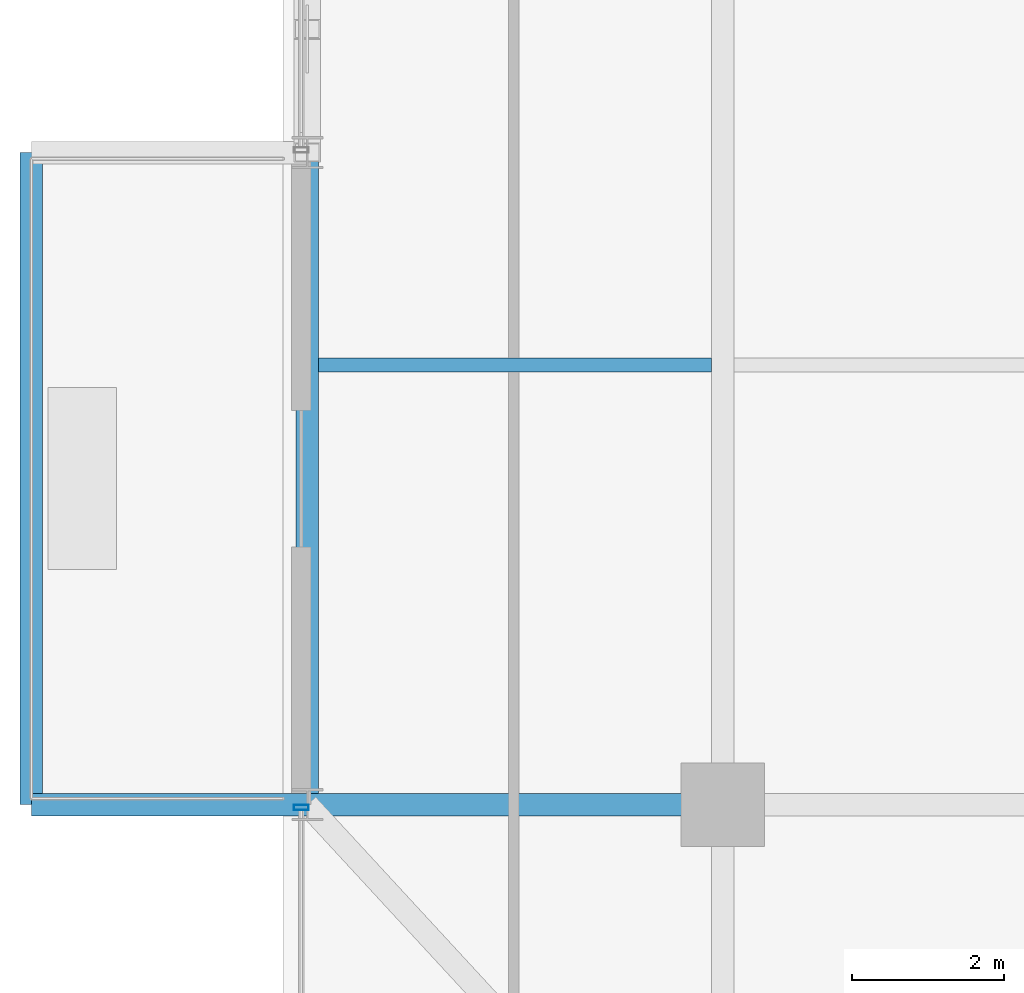
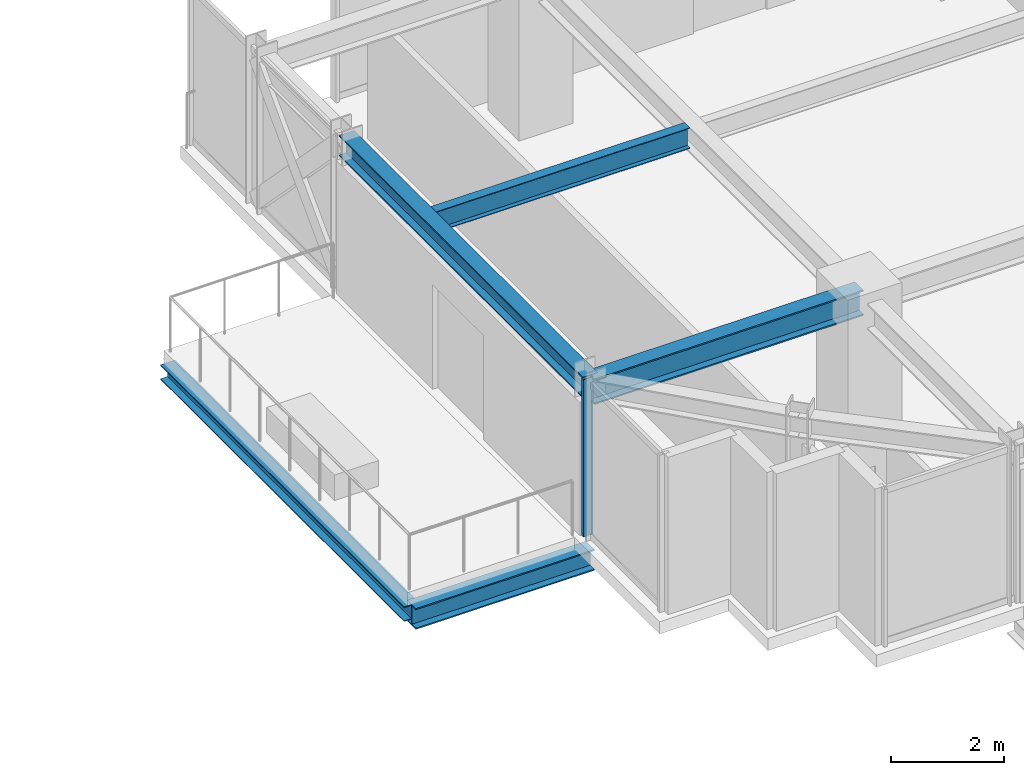
# One storey, part 3 of 36: 5 beams, 1 member, 1 element without a shape of its own.
"""IFC4 building model written with IfcOpenShell, lengths in metres."""

from ifc_helpers import new_model, si_unit, direction, frame, origin, origin_2d, place, context, subcontext, project, spatial, hollow_rectangle, i_section, extrude, source, transform, mapped, material, material_profile, profile_set, type_object, element, aggregate, save


model = new_model("IFC4")

# Units and contexts
model_context = context("Model", 3, precision=1e-05, world=origin(), true_north=direction((0.0, 1.0)))
body_context = subcontext(model_context, "Body", "Model", "MODEL_VIEW")
ifc_project = project(units=[si_unit("LENGTHUNIT", "METRE"), si_unit("AREAUNIT", "SQUARE_METRE"), si_unit("VOLUMEUNIT", "CUBIC_METRE"), si_unit("PLANEANGLEUNIT", "RADIAN"), si_unit("MASSUNIT", "GRAM", prefix="KILO")], contexts=[model_context])

# Site, building, storey
site_placement = place(None, origin())
site = spatial("IfcSite", under=ifc_project, at=site_placement, CompositionType="ELEMENT")
building_placement = place(site_placement, origin())
building = spatial("IfcBuilding", under=site, at=building_placement, Name="Nahalor Promenade Grand Hotel", CompositionType="ELEMENT")
storey_placement = place(building_placement, frame((0.0, 0.0, 170.89990234375)))
storey = spatial("IfcBuildingStorey", under=building, at=storey_placement, Name="L43", CompositionType="ELEMENT", Elevation=170.89990234375)

# Beams
ifc_material_1 = material(Name="Steel S355JR", Category="steel")
ifc_material_profile_1 = material_profile(ifc_material_1, i_section(OverallWidth=0.3, OverallDepth=0.32, WebThickness=0.0115, FlangeThickness=0.0205, at=origin_2d()), Name="HEB 320")
ifc_profile_set_1 = profile_set([ifc_material_profile_1], Name="Steel S355JR")
beam_type_1 = type_object("IfcBeamType", Name="Beam-BalcEdge-HEB320", PredefinedType="SPANDREL", material=ifc_profile_set_1)
shared_shape_1 = source(origin(), body_context, "Body", "SweptSolid", [
    extrude(i_section(OverallWidth=0.3, OverallDepth=0.32, WebThickness=0.0115, FlangeThickness=0.0205, at=origin_2d()), origin(), (0.0, 0.0, 1.0), 8.60009765625),
])
beam_1_placement = place(storey_placement, frame((-26.1201171875, -17.0, -0.43994140625), z_axis=(0.0, 1.0, 0.0), x_axis=(-1.0, 0.0, 0.0)))
element("IfcBeam", 1, at=beam_1_placement, inside=storey, type_object=beam_type_1, Name="BM-L43-BC-02-F", PredefinedType="SPANDREL", context=body_context, shape_type="MappedRepresentation", body=[
    mapped(shared_shape_1, transform((0.0, 0.0, 0.0), scale=1.0)),
])
ifc_material_profile_2 = material_profile(ifc_material_1, i_section(OverallWidth=0.3, OverallDepth=0.45, WebThickness=0.014, FlangeThickness=0.026, at=origin_2d()), Name="HEB 450")
ifc_profile_set_2 = profile_set([ifc_material_profile_2], Name="Steel S355JR")
beam_type_2 = type_object("IfcBeamType", Name="Beam-Outrigger-HEB450", PredefinedType="BEAM", material=ifc_profile_set_2)
shared_shape_2 = source(origin(), body_context, "Body", "SweptSolid", [
    extrude(i_section(OverallWidth=0.3, OverallDepth=0.45, WebThickness=0.014, FlangeThickness=0.026, at=origin_2d()), origin(), (0.0, 0.0, 1.0), 3.64013671875),
])
beam_2_placement = place(storey_placement, frame((-26.1201171875, -17.0, -0.5048828125), z_axis=(1.0, 0.0, 0.0), x_axis=(0.0, 1.0, 0.0)))
element("IfcBeam", 2, at=beam_2_placement, inside=storey, type_object=beam_type_2, Name="BM-L43-BC-02-1", PredefinedType="BEAM", context=body_context, shape_type="MappedRepresentation", body=[
    mapped(shared_shape_2, transform((0.0, 0.0, 0.0), scale=1.0)),
])
ifc_material_profile_3 = material_profile(ifc_material_1, i_section(OverallWidth=0.3, OverallDepth=0.55, WebThickness=0.015, FlangeThickness=0.029, at=origin_2d()), Name="HEB 550")
ifc_profile_set_3 = profile_set([ifc_material_profile_3], Name="Steel S355JR")
beam_type_3 = type_object("IfcBeamType", Name="Beam-Girder-HEB550", PredefinedType="BEAM", material=ifc_profile_set_3)
shared_shape_3 = source(origin(), body_context, "Body", "SweptSolid", [
    extrude(i_section(OverallWidth=0.3, OverallDepth=0.55, WebThickness=0.015, FlangeThickness=0.029, at=origin_2d()), origin(), (0.0, 0.0, 1.0), 5.47998046875),
])
beam_3_placement = place(storey_placement, frame((-22.47998046875, -17.0, 3.114990234375), z_axis=(1.0, 0.0, 0.0), x_axis=(0.0, 1.0, 0.0)))
element("IfcBeam", 3, at=beam_3_placement, inside=storey, type_object=beam_type_3, Name="BM-L43-GX-0-0", PredefinedType="BEAM", context=body_context, shape_type="MappedRepresentation", body=[
    mapped(shared_shape_3, transform((0.0, 0.0, 0.0), scale=1.0)),
])
ifc_material_profile_4 = material_profile(ifc_material_1, i_section(OverallWidth=0.19, OverallDepth=0.45, WebThickness=0.0094, FlangeThickness=0.0146, at=origin_2d()), Name="IPE 450")
ifc_profile_set_4 = profile_set([ifc_material_profile_4], Name="Steel S355JR")
beam_type_4 = type_object("IfcBeamType", Name="Beam-Joist-IPE450", PredefinedType="JOIST", material=ifc_profile_set_4)
shared_shape_4 = source(origin(), body_context, "Body", "SweptSolid", [
    extrude(i_section(OverallWidth=0.19, OverallDepth=0.45, WebThickness=0.0094, FlangeThickness=0.0146, at=origin_2d()), origin(), (0.0, 0.0, 1.0), 5.18017578125),
])
beam_4_placement = place(storey_placement, frame((-22.330078125, -11.199951171875, 3.1650390625), z_axis=(1.0, 0.0, 0.0), x_axis=(0.0, 1.0, 0.0)))
element("IfcBeam", 4, at=beam_4_placement, inside=storey, type_object=beam_type_4, Name="BM-L43-JSW-0-0", PredefinedType="JOIST", context=body_context, shape_type="MappedRepresentation", body=[
    mapped(shared_shape_4, transform((0.0, 0.0, 0.0), scale=1.0)),
])
ifc_material_profile_5 = material_profile(ifc_material_1, i_section(OverallWidth=0.3, OverallDepth=0.45, WebThickness=0.014, FlangeThickness=0.026, at=origin_2d()), Name="HEB 450")
ifc_profile_set_5 = profile_set([ifc_material_profile_5], Name="Steel S355JR")
beam_type_5 = type_object("IfcBeamType", Name="Beam-Spandrel-HEB450", PredefinedType="SPANDREL", material=ifc_profile_set_5)
shared_shape_5 = source(origin(), body_context, "Body", "SweptSolid", [
    extrude(i_section(OverallWidth=0.3, OverallDepth=0.45, WebThickness=0.014, FlangeThickness=0.026, at=origin_2d()), origin(), (0.0, 0.0, 1.0), 8.60009765625),
])
beam_5_placement = place(storey_placement, frame((-22.47998046875, -17.0, 3.1650390625), z_axis=(0.0, 1.0, 0.0), x_axis=(-1.0, 0.0, 0.0)))
element("IfcBeam", 5, at=beam_5_placement, inside=storey, type_object=beam_type_5, Name="BM-L43-SP-W-0", PredefinedType="SPANDREL", context=body_context, shape_type="MappedRepresentation", body=[
    mapped(shared_shape_5, transform((0.0, 0.0, 0.0), scale=1.0)),
])

# Curtain wall, member
ifc_material_2 = material(Name="Anodised Bronze Aluminium EN AW-6063 T6", Category="aluminium")
curtain_wall_type = type_object("IfcCurtainWallType", Name="CW3 Elliptical-Void Collar Unitised Curtain Wall", PredefinedType="USERDEFINED", material=ifc_material_2)
curtain_wall_placement = place(storey_placement, origin())
curtain_wall = element("IfcCurtainWall", 6, at=curtain_wall_placement, inside=storey, type_object=curtain_wall_type, Name="L43 Curtain Wall CW-L43-W-1", ObjectType="UNITISED_CURTAIN_WALL", PredefinedType="USERDEFINED")
ifc_material_profile_6 = material_profile(ifc_material_2, hollow_rectangle(XDim=0.07, YDim=0.2, WallThickness=0.005, at=origin_2d()), Name="CWM 70x200x5")
ifc_profile_set_6 = profile_set([ifc_material_profile_6], Name="Anodised Bronze Aluminium EN AW-6063 T6")
member_type = type_object("IfcMemberType", Name="CWM3 Void Collar Mullion 70x200", PredefinedType="MULLION", material=ifc_profile_set_6)
shared_shape_6 = source(origin(), body_context, "Body", "SweptSolid", [
    extrude(hollow_rectangle(XDim=0.07, YDim=0.2, WallThickness=0.005, at=origin_2d()), origin(), (0.0, 0.0, 1.0), 3.39013671875),
])
member_placement = place(storey_placement, frame((-22.56005859375, -17.034912109375, 0.0), z_axis=(0.0, 0.0, 1.0), x_axis=(0.0, 1.0, 0.0)))
member = element("IfcMember", 7, at=member_placement, type_object=member_type, Name="CW-L43-W-1 Mullion 1", PredefinedType="MULLION", context=body_context, shape_type="MappedRepresentation", body=[
    mapped(shared_shape_6, transform((0.0, 0.0, 0.0), scale=1.0)),
])
aggregate(curtain_wall, [member])

save(model, "model.ifc")
